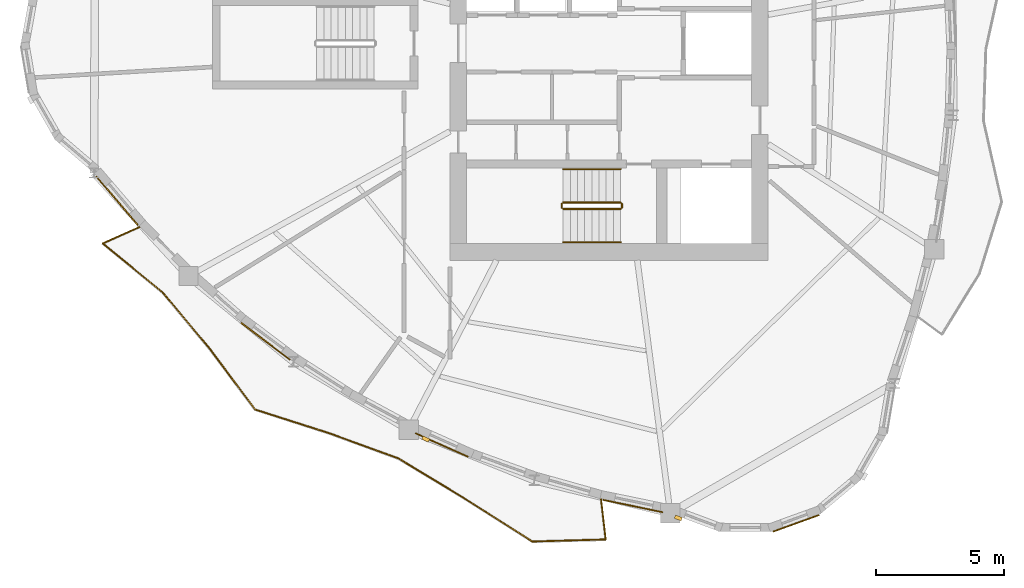
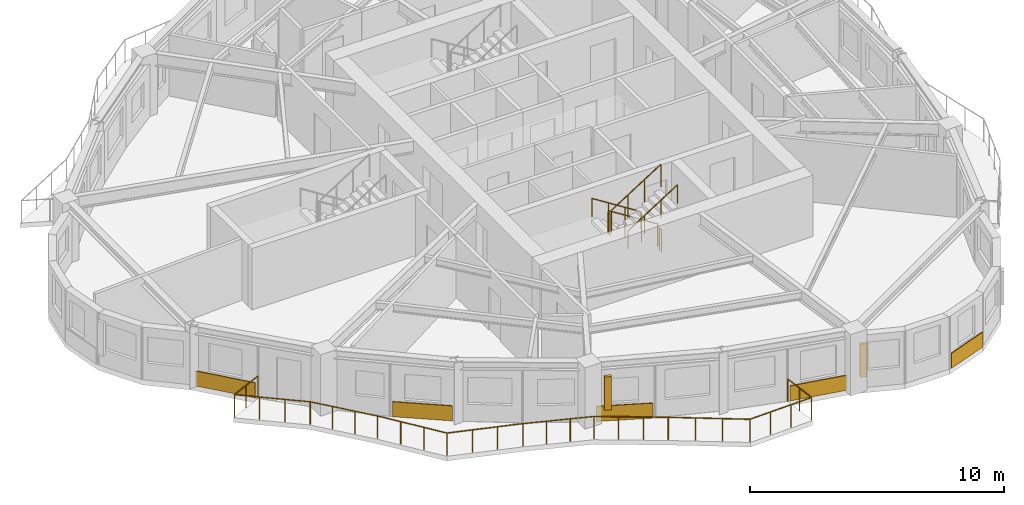
# One storey, part 9 of 12: 7 railings, 5 coverings, 2 shading devices.
"""IFC4 building model written with IfcOpenShell, lengths in metres."""

import ifcopenshell
import ifcopenshell.guid

model = None  # the IFC model being written
_history = None  # IfcOwnerHistory: only IFC2X3 demands one
_inside = {}  # id of a spatial element -> (the spatial element, [elements in it])
_under = {}  # id of a project, library or spatial element -> (it, [spatial elements below it])
_declared = {}  # id of a project -> (the project, [libraries it declares])
_typed = {}  # id of a type object -> (the type object, [elements of that type])
_made_of = {}  # id of a material, layer set ... -> (it, [elements and type objects made of it])


def new_model(schema):
    """Start an empty IFC model of exactly this schema.

    Asked for "IFC4X3", IfcOpenShell would pick the latest addendum, in which some entities
    have other attributes; the version numbers below select the first issue.
    IFC2X3 requires an IfcOwnerHistory on every rooted entity: one is made here for all.
    """
    global model, _history
    if schema == "IFC4X3":
        model = ifcopenshell.file(schema_version=(4, 3, 0, 0))
    else:
        model = ifcopenshell.file(schema=schema)
    _inside.clear()
    _under.clear()
    _declared.clear()
    _typed.clear()
    _made_of.clear()
    _history = None
    if model.schema == "IFC2X3":
        org = make("IfcOrganization", Name="unknown")
        user = make(
            "IfcPersonAndOrganization",
            ThePerson=make("IfcPerson", FamilyName="unknown"),
            TheOrganization=org,
        )
        app = make(
            "IfcApplication",
            ApplicationDeveloper=org,
            Version="unknown",
            ApplicationFullName="unknown",
            ApplicationIdentifier="unknown",
        )
        _history = make(
            "IfcOwnerHistory",
            OwningUser=user,
            OwningApplication=app,
            ChangeAction="ADDED",
            CreationDate=0,
        )
    return model


def make(cls, **values):
    """One entity of the class cls with the attributes given. An attribute that is None is left unset."""
    return model.create_entity(
        cls, **{name: value for name, value in values.items() if value is not None}
    )


def rooted(cls, **values):
    """An entity with a GlobalId (a new one), such as an element, a storey or a relation."""
    return make(cls, GlobalId=ifcopenshell.guid.new(), OwnerHistory=_history, **values)


def si_unit(unit_type, name, prefix=None):
    """IfcSIUnit, for example si_unit("LENGTHUNIT", "METRE", prefix="MILLI")."""
    return make("IfcSIUnit", UnitType=unit_type, Prefix=prefix, Name=name)


def assignment(units):
    """IfcUnitAssignment: the units of a project."""
    return None if units is None else make("IfcUnitAssignment", Units=units)


def point(xyz):
    """IfcCartesianPoint."""
    return None if xyz is None else make("IfcCartesianPoint", Coordinates=xyz)


def direction(xyz):
    """IfcDirection."""
    return None if xyz is None else make("IfcDirection", DirectionRatios=xyz)


def frame(location, z_axis=None, x_axis=None):
    """IfcAxis2Placement3D, a coordinate frame: its origin and axes. An axis left out is left unset."""
    return make(
        "IfcAxis2Placement3D",
        Location=point(location),
        Axis=direction(z_axis),
        RefDirection=direction(x_axis),
    )


def frame_2d(location, x_axis=None):
    """IfcAxis2Placement2D, a coordinate frame in the plane: its origin and x axis."""
    return make(
        "IfcAxis2Placement2D", Location=point(location), RefDirection=direction(x_axis)
    )


def origin():
    """The frame at (0, 0, 0) with its axes left unset."""
    return frame((0.0, 0.0, 0.0))


def origin_2d():
    """The frame at (0, 0) in the plane with its x axis left unset."""
    return frame_2d((0.0, 0.0))


def place(relative_to, where):
    """IfcLocalPlacement: puts the frame where relative to a parent placement (None: the world)."""
    return make(
        "IfcLocalPlacement", PlacementRelTo=relative_to, RelativePlacement=where
    )


def context(
    kind, dimensions, precision=None, world=None, true_north=None, identifier=None
):
    """IfcGeometricRepresentationContext, for example the 3D "Model" context."""
    return make(
        "IfcGeometricRepresentationContext",
        ContextIdentifier=identifier,
        ContextType=kind,
        CoordinateSpaceDimension=dimensions,
        Precision=precision,
        WorldCoordinateSystem=world,
        TrueNorth=true_north,
    )


def subcontext(parent, identifier, kind, view, scale=None):
    """IfcGeometricRepresentationSubContext, for example "Body" below "Model"."""
    return make(
        "IfcGeometricRepresentationSubContext",
        ContextIdentifier=identifier,
        ContextType=kind,
        ParentContext=parent,
        TargetScale=scale,
        TargetView=view,
    )


def project(units=None, contexts=None):
    """IfcProject with its units and contexts."""
    return rooted(
        "IfcProject",
        Name="project",
        RepresentationContexts=contexts,
        UnitsInContext=assignment(units),
    )


def spatial(cls, under=None, at=None, **own):
    """A site, building, storey or space (cls), placed at a placement, below another one or the project."""
    s = rooted(cls, ObjectPlacement=at, **own)
    if under is not None:
        _under.setdefault(under.id(), (under, []))[1].append(s)
    return s


def profile(cls, at=None, kind="AREA", **sizes):
    """A parametric profile (cls). Its sizes go by their IFC names, for example OverallWidth=200.0."""
    return make(cls, ProfileType=kind, Position=at, **sizes)


def rectangle(**sizes):
    """IfcRectangleProfileDef."""
    return profile("IfcRectangleProfileDef", **sizes)


def circle(**sizes):
    """IfcCircleProfileDef."""
    return profile("IfcCircleProfileDef", **sizes)


def extrude(swept, where, along, depth):
    """IfcExtrudedAreaSolid: the profile swept, set in the frame where, extruded along a direction by depth."""
    return make(
        "IfcExtrudedAreaSolid",
        SweptArea=swept,
        Position=where,
        ExtrudedDirection=direction(along),
        Depth=depth,
    )


def shape(context_of_items, identifier, shape_type, items):
    """IfcShapeRepresentation: the items that make up one representation, for example the "Body"."""
    return make(
        "IfcShapeRepresentation",
        ContextOfItems=context_of_items,
        RepresentationIdentifier=identifier,
        RepresentationType=shape_type,
        Items=items,
    )


def source(mapping_origin, context_of_items, identifier, shape_type, items):
    """IfcRepresentationMap: a shape defined once, which mapped items show again and again."""
    return make(
        "IfcRepresentationMap",
        MappingOrigin=mapping_origin,
        MappedRepresentation=shape(context_of_items, identifier, shape_type, items),
    )


def transform(
    local_origin,
    x_axis=None,
    y_axis=None,
    z_axis=None,
    scale=None,
    scale2=None,
    scale3=None,
    uniform=True,
):
    """IfcCartesianTransformationOperator3D, or its non-uniform kind. x_axis, y_axis, z_axis: its Axis1, 2, 3."""
    if uniform:
        return make(
            "IfcCartesianTransformationOperator3D",
            Axis1=direction(x_axis),
            Axis2=direction(y_axis),
            LocalOrigin=point(local_origin),
            Scale=scale,
            Axis3=direction(z_axis),
        )
    return make(
        "IfcCartesianTransformationOperator3DnonUniform",
        Axis1=direction(x_axis),
        Axis2=direction(y_axis),
        LocalOrigin=point(local_origin),
        Scale=scale,
        Axis3=direction(z_axis),
        Scale2=scale2,
        Scale3=scale3,
    )


def mapped(mapping_source, mapping_target):
    """IfcMappedItem: shows the shape of a source again, moved by a transform."""
    return make(
        "IfcMappedItem", MappingSource=mapping_source, MappingTarget=mapping_target
    )


def material(Name=None, Category=None):
    """IfcMaterial."""
    return make("IfcMaterial", Name=Name, Category=Category)


def layer(
    of_material, thickness, ventilated=None, Name=None, Category=None, Priority=None
):
    """IfcMaterialLayer: one layer of a wall or slab, of a material (None: an air gap)."""
    return make(
        "IfcMaterialLayer",
        Material=of_material,
        LayerThickness=thickness,
        IsVentilated=ventilated,
        Name=Name,
        Category=Category,
        Priority=Priority,
    )


def layer_set(layers, Name=None):
    """IfcMaterialLayerSet."""
    return make("IfcMaterialLayerSet", MaterialLayers=layers, LayerSetName=Name)


def made_of(thing, what):
    """Note that an element or type object is made of a material, layer set ...; save() writes the relation."""
    if what is not None:
        _made_of.setdefault(what.id(), (what, []))[1].append(thing)
    return thing


def type_object(cls, material=None, **own):
    """A type object (cls), such as IfcWallType, which elements share."""
    return made_of(rooted(cls, **own), material)


def element(
    cls,
    number,
    at=None,
    inside=None,
    cuts=None,
    type_object=None,
    material=None,
    context=None,
    identifier="Body",
    shape_type=None,
    held_by="IfcProductDefinitionShape",
    body=None,
    shapes=None,
    **own,
):
    """One element of the class cls, such as IfcWall. Its Tag is "e" and its number.

    at: its placement. inside: the storey or other place that contains it. cuts: it is an
    opening in that element (IfcRelVoidsElement). A single representation is given by context,
    identifier, shape_type and body (its items); several are given by shapes. held_by: the class
    of the entity that holds the representations. save() writes the other relations.
    """
    e = rooted(cls, Tag="e%d" % number, ObjectPlacement=at, **own)
    if body is not None:
        shapes = [shape(context, identifier, shape_type, body)]
    if shapes is not None:
        e.Representation = make(held_by, Representations=shapes)
    if inside is not None:
        _inside.setdefault(inside.id(), (inside, []))[1].append(e)
    if cuts is not None:
        rooted(
            "IfcRelVoidsElement", RelatingBuildingElement=cuts, RelatedOpeningElement=e
        )
    if type_object is not None:
        _typed.setdefault(type_object.id(), (type_object, []))[1].append(e)
    return made_of(e, material)


def aggregate(whole, parts):
    """IfcRelAggregates: a whole, such as a stair, and the parts it consists of."""
    return rooted("IfcRelAggregates", RelatingObject=whole, RelatedObjects=parts)


def save(model, path):
    """Write the relations noted so far, then the file.

    IfcRelAggregates (storeys below a building ...), IfcRelContainedInSpatialStructure (elements
    in a storey), IfcRelDefinesByType, IfcRelAssociatesMaterial and IfcRelDeclares: one each for
    every whole, place, type object, material and project.
    """
    for whole, parts in _under.values():
        aggregate(whole, parts)
    for where, things in _inside.values():
        rooted(
            "IfcRelContainedInSpatialStructure",
            RelatedElements=things,
            RelatingStructure=where,
        )
    for kind, things in _typed.values():
        rooted("IfcRelDefinesByType", RelatedObjects=things, RelatingType=kind)
    for what, things in _made_of.values():
        rooted("IfcRelAssociatesMaterial", RelatedObjects=things, RelatingMaterial=what)
    for by, libraries in _declared.values():
        rooted("IfcRelDeclares", RelatingContext=by, RelatedDefinitions=libraries)
    model.write(path)


model = new_model("IFC4")

# Units and contexts
model_context = context("Model", 3, precision=1e-05, world=origin(), true_north=direction((0.0, 1.0)))
body_context = subcontext(model_context, "Body", "Model", "MODEL_VIEW")
ifc_project = project(units=[si_unit("LENGTHUNIT", "METRE"), si_unit("AREAUNIT", "SQUARE_METRE"), si_unit("VOLUMEUNIT", "CUBIC_METRE"), si_unit("PLANEANGLEUNIT", "RADIAN"), si_unit("MASSUNIT", "GRAM", prefix="KILO")], contexts=[model_context])

# Site, building, storey
site_placement = place(None, origin())
site = spatial("IfcSite", under=ifc_project, at=site_placement, CompositionType="ELEMENT")
building_placement = place(site_placement, origin())
building = spatial("IfcBuilding", under=site, at=building_placement, Name="Qafzar Sky-Pleat Residences", CompositionType="ELEMENT")
storey_placement = place(building_placement, frame((0.0, 0.0, 184.199951171875)))
storey = spatial("IfcBuildingStorey", under=building, at=storey_placement, Name="L55", CompositionType="ELEMENT", Elevation=184.199951171875)

# Shading devices
ifc_material_1 = material(Name="Honed Riyadh limestone solar fin", Category="masonry")
ifc_layer_1 = layer(ifc_material_1, 0.139892578125)
ifc_layer_set_1 = layer_set([ifc_layer_1], Name="Honed Riyadh limestone solar fin")
shading_device_type = type_object("IfcShadingDeviceType", Name="SHD-FIN-STONE", PredefinedType="SHUTTER", material=ifc_layer_set_1)
shared_shape_1 = source(origin(), body_context, "Body", "SweptSolid", [
    extrude(rectangle(XDim=0.139892578125, YDim=0.280029296875, at=origin_2d()), origin(), (0.0, 0.0, 1.0), 1.60009765625),
])
for number, where, z_axis, x_axis, name in (
    (1, (23.208984375, 10.585693359375, 0.60009765625), (0.0, 0.0, 1.0), (-0.40756683729, -0.91317537918, 0.0), "L55 Limestone Solar Fin 13"),
    (2, (33.046630859375, 7.512451171875, 0.60009765625), (0.0, 0.0, 1.0), (-0.349602764616, -0.936898023785, 0.0), "L55 Limestone Solar Fin 17"),
):
    element("IfcShadingDevice", number, at=place(storey_placement, frame(where, z_axis=z_axis, x_axis=x_axis)), inside=storey, type_object=shading_device_type, Name=name, PredefinedType="SHUTTER", context=body_context, shape_type="MappedRepresentation", body=[
        mapped(shared_shape_1, transform((0.0, 0.0, 0.0), x_axis=(1.0, 0.0, 0.0), y_axis=(0.0, 1.0, 0.0), z_axis=(0.0, 0.0, 1.0), scale=1.0)),
    ])

# Covering
ifc_material_2 = material(Name="Honed Riyadh Tuwaiq limestone cladding", Category="masonry")
ifc_layer_2 = layer(ifc_material_2, 0.044921875)
ifc_layer_set_2 = layer_set([ifc_layer_2], Name="Honed Riyadh Tuwaiq limestone cladding")
covering_type = type_object("IfcCoveringType", Name="COV-CLAD-STONE", PredefinedType="CLADDING", material=ifc_layer_set_2)
shared_shape_2 = source(origin(), body_context, "Body", "SweptSolid", [
    extrude(rectangle(XDim=1.89794921875, YDim=0.044921875, at=origin_2d()), origin(), (0.0, 0.0, 1.0), 0.719970703125),
])
covering_1_placement = place(storey_placement, frame((37.634521484375, 7.30322265625, 0.02001953125), z_axis=(0.0, 0.0, 1.0), x_axis=(0.940231559433, 0.340535775867, 0.0)))
element("IfcCovering", 3, at=covering_1_placement, inside=storey, type_object=covering_type, Name="L55 Riyadh Limestone Spandrel Cladding 19", PredefinedType="CLADDING", context=body_context, shape_type="MappedRepresentation", body=[
    mapped(shared_shape_2, transform((0.0, 0.0, 0.0), x_axis=(1.0, 0.0, 0.0), y_axis=(0.0, 1.0, 0.0), z_axis=(0.0, 0.0, 1.0), scale=1.0)),
])

# Railing
ifc_material_3 = material(Name="Laminated glass and bronze steel balustrade", Category="steel")
railing_type_1 = type_object("IfcRailingType", Name="RAIL-BAL-1100", PredefinedType="BALUSTRADE", material=ifc_material_3)
shared_shape_3 = source(origin(), body_context, "Body", "SweptSolid", [
    extrude(circle(Radius=0.02392578125, at=origin_2d()), frame((0.0, 0.0, 1.076171875), z_axis=(-0.912389818341, -0.409322390527, 0.0), x_axis=(0.409322390527, -0.912389818341, 0.0)), (0.0, 0.0, 1.0), 1.578125),
    extrude(circle(Radius=0.02392578125, at=origin_2d()), frame((-1.43994140625, -0.64599609375, 1.076171875), z_axis=(0.774025555927, -0.633154356197, 0.0), x_axis=(0.633154356197, 0.774025555927, 0.0)), (0.0, 0.0, 1.0), 3.027587890625),
    extrude(circle(Radius=0.02392578125, at=origin_2d()), frame((0.903564453125, -2.56298828125, 1.076171875), z_axis=(0.640617922231, -0.767859803425, 0.0), x_axis=(0.767859803425, 0.640617922231, 0.0)), (0.0, 0.0, 1.0), 2.824462890625),
    extrude(circle(Radius=0.02392578125, at=origin_2d()), frame((2.712890625, -4.731689453125, 1.076171875), z_axis=(0.598725460263, -0.800954320316, 0.0), x_axis=(0.800954320316, 0.598725460263, 0.0)), (0.0, 0.0, 1.0), 2.974609375),
    extrude(circle(Radius=0.02392578125, at=origin_2d()), frame((4.493896484375, -7.1142578125, 1.076171875), z_axis=(0.952331377345, -0.305065481045, 0.0), x_axis=(0.305065481045, 0.952331377345, 0.0)), (0.0, 0.0, 1.0), 3.05712890625),
    extrude(circle(Radius=0.02392578125, at=origin_2d()), frame((7.4052734375, -8.046875, 1.076171875), z_axis=(0.939564713484, -0.342371361499, 0.0), x_axis=(0.342371361499, 0.939564713484, 0.0)), (0.0, 0.0, 1.0), 2.8388671875),
    extrude(circle(Radius=0.02392578125, at=origin_2d()), frame((10.072509765625, -9.018798828125, 1.076171875), z_axis=(0.856053996545, -0.516886404347, 0.0), x_axis=(0.516886404347, 0.856053996545, 0.0)), (0.0, 0.0, 1.0), 2.926025390625),
    extrude(circle(Radius=0.02392578125, at=origin_2d()), frame((12.577392578125, -10.53125, 1.076171875), z_axis=(0.84387400344, -0.536541392921, 0.0), x_axis=(0.536541392921, 0.84387400344, 0.0)), (0.0, 0.0, 1.0), 3.215576171875),
    extrude(circle(Radius=0.02392578125, at=origin_2d()), frame((15.291015625, -12.256591796875, 1.076171875), z_axis=(0.99959777978, 0.028359807117, 0.0), x_axis=(-0.028359807117, 0.99959777978, 0.0)), (0.0, 0.0, 1.0), 2.858154296875),
    extrude(circle(Radius=0.02392578125, at=origin_2d()), frame((18.14794921875, -12.175537109375, 1.076171875), z_axis=(-0.114030944588, 0.993477198368, 0.0), x_axis=(-0.993477198368, -0.114030944588, 0.0)), (0.0, 0.0, 1.0), 1.577880859375),
    extrude(circle(Radius=0.02099609375, at=origin_2d()), origin(), (0.0, 0.0, 1.0), 1.052001953125),
    extrude(circle(Radius=0.02099609375, at=origin_2d()), frame((-0.719970703125, -0.322998046875, 0.0)), (0.0, 0.0, 1.0), 1.052001953125),
    extrude(circle(Radius=0.02099609375, at=origin_2d()), frame((-1.43994140625, -0.64599609375, 0.0)), (0.0, 0.0, 1.0), 1.052001953125),
    extrude(circle(Radius=0.02099609375, at=origin_2d()), frame((-0.65869140625, -1.284912109375, 0.0)), (0.0, 0.0, 1.0), 1.052001953125),
    extrude(circle(Radius=0.02099609375, at=origin_2d()), frame((0.122314453125, -1.924072265625, 0.0)), (0.0, 0.0, 1.0), 1.052001953125),
    extrude(circle(Radius=0.02099609375, at=origin_2d()), frame((0.903564453125, -2.56298828125, 0.0)), (0.0, 0.0, 1.0), 1.052001953125),
    extrude(circle(Radius=0.02099609375, at=origin_2d()), frame((1.506591796875, -3.285888671875, 0.0)), (0.0, 0.0, 1.0), 1.052001953125),
    extrude(circle(Radius=0.02099609375, at=origin_2d()), frame((2.10986328125, -4.0087890625, 0.0)), (0.0, 0.0, 1.0), 1.052001953125),
    extrude(circle(Radius=0.02099609375, at=origin_2d()), frame((2.712890625, -4.731689453125, 0.0)), (0.0, 0.0, 1.0), 1.052001953125),
    extrude(circle(Radius=0.02099609375, at=origin_2d()), frame((3.306640625, -5.52587890625, 0.0)), (0.0, 0.0, 1.0), 1.052001953125),
    extrude(circle(Radius=0.02099609375, at=origin_2d()), frame((3.900146484375, -6.320068359375, 0.0)), (0.0, 0.0, 1.0), 1.052001953125),
    extrude(circle(Radius=0.02099609375, at=origin_2d()), frame((4.493896484375, -7.1142578125, 0.0)), (0.0, 0.0, 1.0), 1.052001953125),
    extrude(circle(Radius=0.02099609375, at=origin_2d()), frame((5.46435546875, -7.425048828125, 0.0)), (0.0, 0.0, 1.0), 1.052001953125),
    extrude(circle(Radius=0.02099609375, at=origin_2d()), frame((6.434814453125, -7.736083984375, 0.0)), (0.0, 0.0, 1.0), 1.052001953125),
    extrude(circle(Radius=0.02099609375, at=origin_2d()), frame((7.4052734375, -8.046875, 0.0)), (0.0, 0.0, 1.0), 1.052001953125),
    extrude(circle(Radius=0.02099609375, at=origin_2d()), frame((8.29443359375, -8.370849609375, 0.0)), (0.0, 0.0, 1.0), 1.052001953125),
    extrude(circle(Radius=0.02099609375, at=origin_2d()), frame((9.183349609375, -8.69482421875, 0.0)), (0.0, 0.0, 1.0), 1.052001953125),
    extrude(circle(Radius=0.02099609375, at=origin_2d()), frame((10.072509765625, -9.018798828125, 0.0)), (0.0, 0.0, 1.0), 1.052001953125),
    extrude(circle(Radius=0.02099609375, at=origin_2d()), frame((10.907470703125, -9.52294921875, 0.0)), (0.0, 0.0, 1.0), 1.052001953125),
    extrude(circle(Radius=0.02099609375, at=origin_2d()), frame((11.742431640625, -10.027099609375, 0.0)), (0.0, 0.0, 1.0), 1.052001953125),
    extrude(circle(Radius=0.02099609375, at=origin_2d()), frame((12.577392578125, -10.53125, 0.0)), (0.0, 0.0, 1.0), 1.052001953125),
    extrude(circle(Radius=0.02099609375, at=origin_2d()), frame((13.48193359375, -11.1064453125, 0.0)), (0.0, 0.0, 1.0), 1.052001953125),
    extrude(circle(Radius=0.02099609375, at=origin_2d()), frame((14.386474609375, -11.681396484375, 0.0)), (0.0, 0.0, 1.0), 1.052001953125),
    extrude(circle(Radius=0.02099609375, at=origin_2d()), frame((15.291015625, -12.256591796875, 0.0)), (0.0, 0.0, 1.0), 1.052001953125),
    extrude(circle(Radius=0.02099609375, at=origin_2d()), frame((16.243408203125, -12.2294921875, 0.0)), (0.0, 0.0, 1.0), 1.052001953125),
    extrude(circle(Radius=0.02099609375, at=origin_2d()), frame((17.195556640625, -12.20263671875, 0.0)), (0.0, 0.0, 1.0), 1.052001953125),
    extrude(circle(Radius=0.02099609375, at=origin_2d()), frame((18.14794921875, -12.175537109375, 0.0)), (0.0, 0.0, 1.0), 1.052001953125),
    extrude(circle(Radius=0.02099609375, at=origin_2d()), frame((18.05810546875, -11.3916015625, 0.0)), (0.0, 0.0, 1.0), 1.052001953125),
    extrude(circle(Radius=0.02099609375, at=origin_2d()), frame((17.968017578125, -10.60791015625, 0.0)), (0.0, 0.0, 1.0), 1.052001953125),
])
railing_1_placement = place(storey_placement, frame((12.06982421875, 18.851806640625, 0.0)))
element("IfcRailing", 4, at=railing_1_placement, inside=storey, type_object=railing_type_1, Name="L55 Pleated Balcony 3 Balustrade", PredefinedType="BALUSTRADE", context=body_context, shape_type="MappedRepresentation", body=[
    mapped(shared_shape_3, transform((0.0, 0.0, 0.0), x_axis=(1.0, 0.0, 0.0), y_axis=(0.0, 1.0, 0.0), z_axis=(0.0, 0.0, 1.0), scale=1.0)),
])

# Coverings
shared_shape_4 = source(origin(), body_context, "Body", "SweptSolid", [
    extrude(rectangle(XDim=2.49560546875, YDim=0.044921875, at=origin_2d()), origin(), (0.0, 0.0, 1.0), 0.719970703125),
])
covering_2_placement = place(storey_placement, frame((11.187255859375, 19.866943359375, 0.02001953125), z_axis=(0.0, 0.0, 1.0), x_axis=(0.650274414602, -0.75969940484, 0.0)))
element("IfcCovering", 5, at=covering_2_placement, inside=storey, type_object=covering_type, Name="L55 Riyadh Limestone Spandrel Cladding 7", PredefinedType="CLADDING", context=body_context, shape_type="MappedRepresentation", body=[
    mapped(shared_shape_4, transform((0.0, 0.0, 0.0), x_axis=(1.0, 0.0, 0.0), y_axis=(0.0, 1.0, 0.0), z_axis=(0.0, 0.0, 1.0), scale=1.0)),
])
shared_shape_5 = source(origin(), body_context, "Body", "SweptSolid", [
    extrude(rectangle(XDim=2.377197265625, YDim=0.044921875, at=origin_2d()), origin(), (0.0, 0.0, 1.0), 0.719970703125),
])
covering_3_placement = place(storey_placement, frame((16.9755859375, 14.392578125, 0.02001953125), z_axis=(0.0, 0.0, 1.0), x_axis=(0.797987489772, -0.602674013184, 0.0)))
element("IfcCovering", 6, at=covering_3_placement, inside=storey, type_object=covering_type, Name="L55 Riyadh Limestone Spandrel Cladding 10", PredefinedType="CLADDING", context=body_context, shape_type="MappedRepresentation", body=[
    mapped(shared_shape_5, transform((0.0, 0.0, 0.0), x_axis=(1.0, 0.0, 0.0), y_axis=(0.0, 1.0, 0.0), z_axis=(0.0, 0.0, 1.0), scale=1.0)),
])
shared_shape_6 = source(origin(), body_context, "Body", "SweptSolid", [
    extrude(rectangle(XDim=2.24658203125, YDim=0.044921875, at=origin_2d()), origin(), (0.0, 0.0, 1.0), 0.719970703125),
])
covering_4_placement = place(storey_placement, frame((23.8291015625, 10.35595703125, 0.02001953125), z_axis=(0.0, 0.0, 1.0), x_axis=(0.913164507785, -0.407591194363, 0.0)))
element("IfcCovering", 7, at=covering_4_placement, inside=storey, type_object=covering_type, Name="L55 Riyadh Limestone Spandrel Cladding 13", PredefinedType="CLADDING", context=body_context, shape_type="MappedRepresentation", body=[
    mapped(shared_shape_6, transform((0.0, 0.0, 0.0), x_axis=(1.0, 0.0, 0.0), y_axis=(0.0, 1.0, 0.0), z_axis=(0.0, 0.0, 1.0), scale=1.0)),
])
shared_shape_7 = source(origin(), body_context, "Body", "SweptSolid", [
    extrude(rectangle(XDim=2.36474609375, YDim=0.044921875, at=origin_2d()), origin(), (0.0, 0.0, 1.0), 0.719970703125),
])
covering_5_placement = place(storey_placement, frame((31.281494140625, 7.976318359375, 0.02001953125), z_axis=(0.0, 0.0, 1.0), x_axis=(0.979304659548, -0.202391659384, 0.0)))
element("IfcCovering", 8, at=covering_5_placement, inside=storey, type_object=covering_type, Name="L55 Riyadh Limestone Spandrel Cladding 16", PredefinedType="CLADDING", context=body_context, shape_type="MappedRepresentation", body=[
    mapped(shared_shape_7, transform((0.0, 0.0, 0.0), x_axis=(1.0, 0.0, 0.0), y_axis=(0.0, 1.0, 0.0), z_axis=(0.0, 0.0, 1.0), scale=1.0)),
])

# Railings
ifc_material_4 = material(Name="Painted Steel S355 stair guardrail", Category="steel")
railing_type_2 = type_object("IfcRailingType", Name="RAIL-STAIR-GUARD", PredefinedType="GUARDRAIL", material=ifc_material_4)
shared_shape_8 = source(origin(), body_context, "Body", "SweptSolid", [
    extrude(circle(Radius=0.02392578125, at=origin_2d()), frame((0.0, 0.0, 1.076171875), z_axis=(0.0, -1.0, 0.0), x_axis=(1.0, 0.0, 0.0)), (0.0, 0.0, 1.0), 0.14990234375),
    extrude(circle(Radius=0.02099609375, at=origin_2d()), origin(), (0.0, 0.0, 1.0), 1.052001953125),
    extrude(circle(Radius=0.02099609375, at=origin_2d()), frame((0.0, -0.14990234375, 0.0)), (0.0, 0.0, 1.0), 1.052001953125),
])
for number, where, name in (
    (9, (28.510009765625, 19.75, 1.60009765625), "L55 ST1 stair guard 2"),
    (10, (30.85009765625, 19.75, 0.0), "L55 ST1 stair guard 4"),
):
    element("IfcRailing", number, at=place(storey_placement, frame(where)), inside=storey, type_object=railing_type_2, Name=name, PredefinedType="GUARDRAIL", context=body_context, shape_type="MappedRepresentation", body=[
        mapped(shared_shape_8, transform((0.0, 0.0, 0.0), x_axis=(1.0, 0.0, 0.0), y_axis=(0.0, 1.0, 0.0), z_axis=(0.0, 0.0, 1.0), scale=1.0)),
    ])
shared_shape_9 = source(origin(), body_context, "Body", "SweptSolid", [
    extrude(circle(Radius=0.02392578125, at=origin_2d()), frame((0.0, 0.0, 1.076171875), z_axis=(0.8442293374, 0.0, 0.53598211339), x_axis=(0.0, 1.0, 0.0)), (0.0, 0.0, 1.0), 2.6533203125),
    extrude(circle(Radius=0.02099609375, at=origin_2d()), origin(), (0.0, 0.0, 1.0), 1.052001953125),
    extrude(circle(Radius=0.02099609375, at=origin_2d()), frame((0.74658203125, 0.0, 0.47412109375)), (0.0, 0.0, 1.0), 1.052001953125),
    extrude(circle(Radius=0.02099609375, at=origin_2d()), frame((1.493408203125, 0.0, 0.947998046875)), (0.0, 0.0, 1.0), 1.052001953125),
    extrude(circle(Radius=0.02099609375, at=origin_2d()), frame((2.239990234375, 0.0, 1.422119140625)), (0.0, 0.0, 1.0), 1.052001953125),
])
railing_2_placement = place(storey_placement, frame((28.56005859375, 19.550048828125, 1.77783203125)))
element("IfcRailing", 11, at=railing_2_placement, inside=storey, type_object=railing_type_2, Name="L55 ST1 stair guard 3", PredefinedType="GUARDRAIL", context=body_context, shape_type="MappedRepresentation", body=[
    mapped(shared_shape_9, transform((0.0, 0.0, 0.0), x_axis=(1.0, 0.0, 0.0), y_axis=(0.0, 1.0, 0.0), z_axis=(0.0, 0.0, 1.0), scale=1.0)),
])
ifc_material_5 = material(Name="Brushed stainless steel handrail", Category="steel")
railing_type_3 = type_object("IfcRailingType", Name="RAIL-STAIR-HAND", PredefinedType="HANDRAIL", material=ifc_material_5)
shared_shape_10 = source(origin(), body_context, "Body", "SweptSolid", [
    extrude(circle(Radius=0.02392578125, at=origin_2d()), frame((0.0, 0.0, 0.8759765625), z_axis=(0.8442293374, 0.0, 0.53598211339), x_axis=(0.0, 1.0, 0.0)), (0.0, 0.0, 1.0), 2.6533203125),
    extrude(circle(Radius=0.02099609375, at=origin_2d()), origin(), (0.0, 0.0, 1.0), 0.851806640625),
    extrude(circle(Radius=0.02099609375, at=origin_2d()), frame((0.74658203125, 0.0, 0.47412109375)), (0.0, 0.0, 1.0), 0.851806640625),
    extrude(circle(Radius=0.02099609375, at=origin_2d()), frame((1.493408203125, 0.0, 0.947998046875)), (0.0, 0.0, 1.0), 0.851806640625),
    extrude(circle(Radius=0.02099609375, at=origin_2d()), frame((2.239990234375, 0.0, 1.422119140625)), (0.0, 0.0, 1.0), 0.851806640625),
])
railing_3_placement = place(storey_placement, frame((28.56005859375, 18.25, 1.77783203125)))
element("IfcRailing", 12, at=railing_3_placement, inside=storey, type_object=railing_type_3, Name="L55 ST1 stair handrail 2", PredefinedType="HANDRAIL", context=body_context, shape_type="MappedRepresentation", body=[
    mapped(shared_shape_10, transform((0.0, 0.0, 0.0), x_axis=(1.0, 0.0, 0.0), y_axis=(0.0, 1.0, 0.0), z_axis=(0.0, 0.0, 1.0), scale=1.0)),
])
shared_shape_11 = source(origin(), body_context, "Body", "SweptSolid", [
    extrude(circle(Radius=0.02392578125, at=origin_2d()), frame((0.0, 0.0, 1.076171875), z_axis=(-0.84418770128, 0.0, 0.536047689118), x_axis=(0.0, -1.0, 0.0)), (0.0, 0.0, 1.0), 2.6533203125),
    extrude(circle(Radius=0.02099609375, at=origin_2d()), origin(), (0.0, 0.0, 1.0), 1.052001953125),
    extrude(circle(Radius=0.02099609375, at=origin_2d()), frame((-0.74658203125, 0.0, 0.47412109375)), (0.0, 0.0, 1.0), 1.052001953125),
    extrude(circle(Radius=0.02099609375, at=origin_2d()), frame((-1.493408203125, 0.0, 0.9482421875)), (0.0, 0.0, 1.0), 1.052001953125),
    extrude(circle(Radius=0.02099609375, at=origin_2d()), frame((-2.239990234375, 0.0, 1.42236328125)), (0.0, 0.0, 1.0), 1.052001953125),
])
railing_4_placement = place(storey_placement, frame((30.800048828125, 19.800048828125, 0.177734375)))
element("IfcRailing", 13, at=railing_4_placement, inside=storey, type_object=railing_type_2, Name="L55 ST1 stair guard 1", PredefinedType="GUARDRAIL", context=body_context, shape_type="MappedRepresentation", body=[
    mapped(shared_shape_11, transform((0.0, 0.0, 0.0), x_axis=(1.0, 0.0, 0.0), y_axis=(0.0, 1.0, 0.0), z_axis=(0.0, 0.0, 1.0), scale=1.0)),
])
shared_shape_12 = source(origin(), body_context, "Body", "SweptSolid", [
    extrude(circle(Radius=0.02392578125, at=origin_2d()), frame((0.0, 0.0, 0.8759765625), z_axis=(-0.84418770128, 0.0, 0.536047689118), x_axis=(0.0, -1.0, 0.0)), (0.0, 0.0, 1.0), 2.6533203125),
    extrude(circle(Radius=0.02099609375, at=origin_2d()), origin(), (0.0, 0.0, 1.0), 0.851806640625),
    extrude(circle(Radius=0.02099609375, at=origin_2d()), frame((-0.74658203125, 0.0, 0.47412109375)), (0.0, 0.0, 1.0), 0.851806640625),
    extrude(circle(Radius=0.02099609375, at=origin_2d()), frame((-1.493408203125, 0.0, 0.9482421875)), (0.0, 0.0, 1.0), 0.851806640625),
    extrude(circle(Radius=0.02099609375, at=origin_2d()), frame((-2.239990234375, 0.0, 1.42236328125)), (0.0, 0.0, 1.0), 0.851806640625),
])
railing_5_placement = place(storey_placement, frame((30.800048828125, 21.10009765625, 0.177734375)))
element("IfcRailing", 14, at=railing_5_placement, inside=storey, type_object=railing_type_3, Name="L55 ST1 stair handrail 1", PredefinedType="HANDRAIL", context=body_context, shape_type="MappedRepresentation", body=[
    mapped(shared_shape_12, transform((0.0, 0.0, 0.0), x_axis=(1.0, 0.0, 0.0), y_axis=(0.0, 1.0, 0.0), z_axis=(0.0, 0.0, 1.0), scale=1.0)),
])

save(model, "model.ifc")
